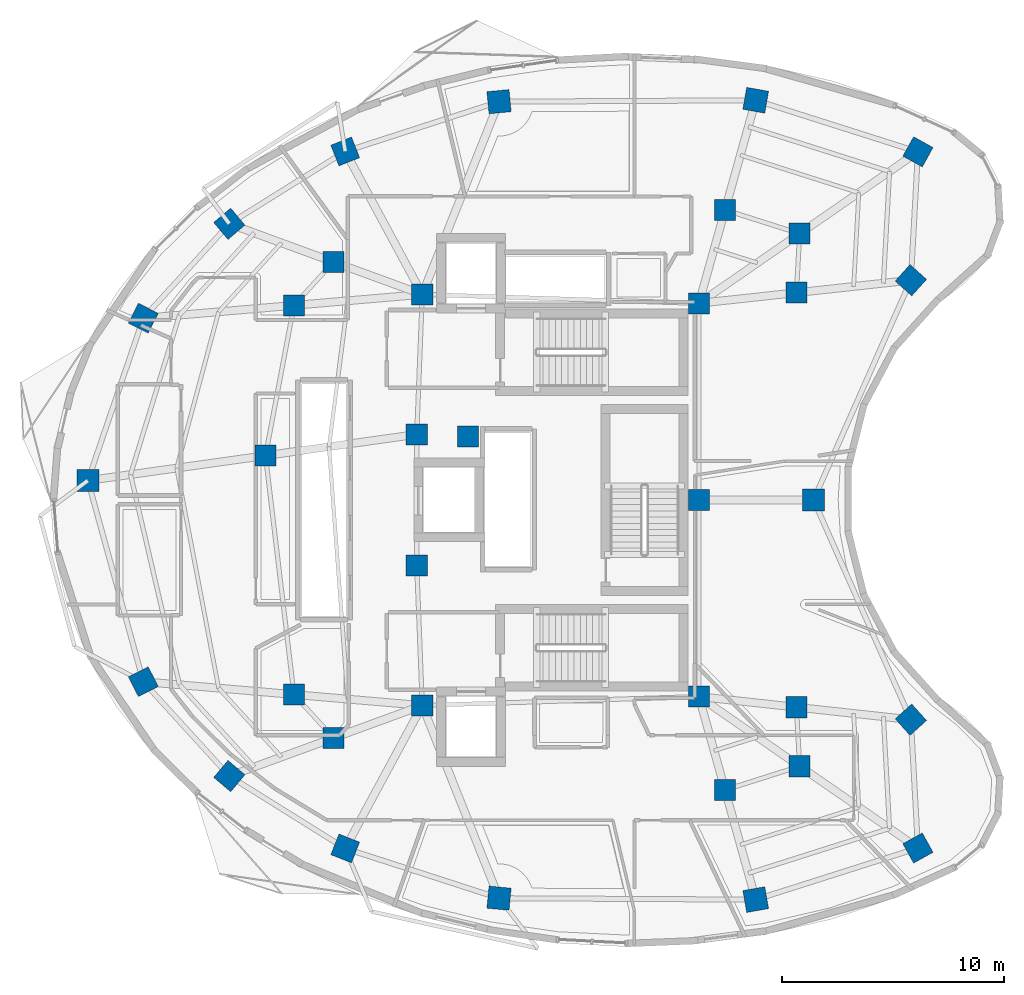
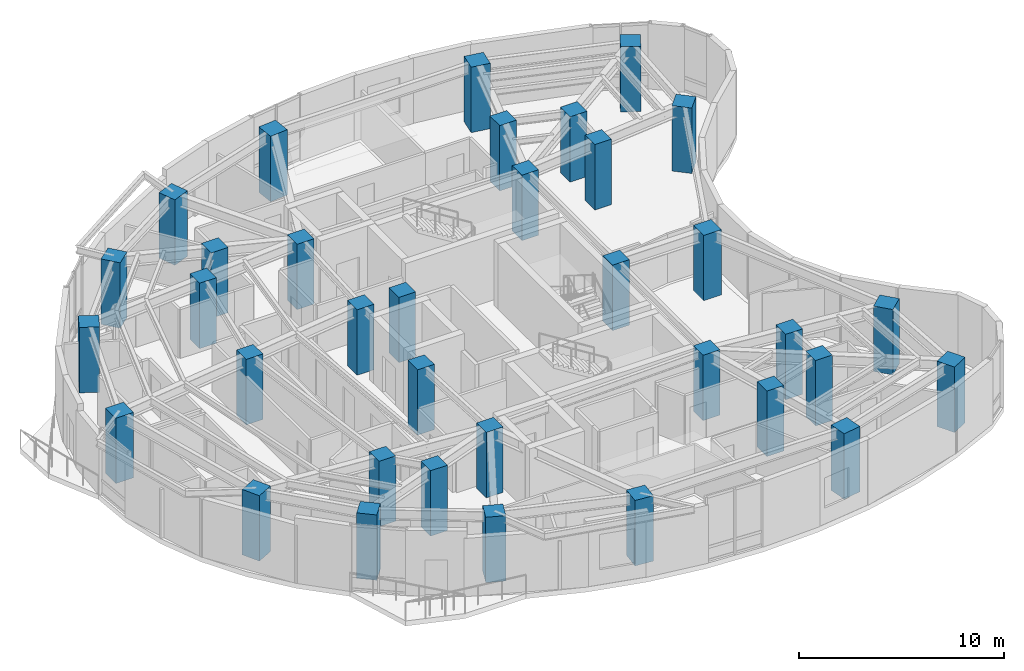
# One storey, part 1 of 13: 35 columns.
"""IFC4 building model written with IfcOpenShell, lengths in metres."""

from ifc_helpers import new_model, si_unit, direction, frame, origin, origin_2d, place, context, subcontext, project, spatial, rectangle, extrude, material, material_profile, profile_set, type_object, element, save


model = new_model("IFC4")

# Units and contexts
model_context = context("Model", 3, precision=1e-05, world=origin(), true_north=direction((0.0, 1.0)))
body_context = subcontext(model_context, "Body", "Model", "MODEL_VIEW")
ifc_project = project(units=[si_unit("LENGTHUNIT", "METRE"), si_unit("AREAUNIT", "SQUARE_METRE"), si_unit("VOLUMEUNIT", "CUBIC_METRE"), si_unit("PLANEANGLEUNIT", "RADIAN"), si_unit("MASSUNIT", "GRAM", prefix="KILO")], contexts=[model_context])

# Site, building, storey
site_placement = place(None, origin())
site = spatial("IfcSite", under=ifc_project, at=site_placement, CompositionType="ELEMENT")
building_placement = place(site_placement, origin())
building = spatial("IfcBuilding", under=site, at=building_placement, Name="Korentha Bioscience Tower", CompositionType="ELEMENT")
storey_placement = place(building_placement, frame((0.0, 0.0, 204.60009765625)))
storey = spatial("IfcBuildingStorey", under=building, at=storey_placement, Name="L47", CompositionType="ELEMENT", Elevation=204.60009765625)

# Columns
ifc_material = material(Name="Concrete C65", Category="concrete")
ifc_material_profile_1 = material_profile(ifc_material, rectangle(XDim=0.949951171875, YDim=0.949951171875, at=origin_2d()), Name="Concrete C65")
ifc_profile_set_1 = profile_set([ifc_material_profile_1], Name="Concrete C65 (COL-CP09)")
column_type_1 = type_object("IfcColumnType", Name="Core Pilaster Column RC 950x950", PredefinedType="PILASTER", material=ifc_profile_set_1)
for number, where, z_axis, x_axis, name in (
    (1, (37.550048828125, 35.85009765625, -0.00048828125), (0.0, 0.0, 1.0), (1.0, 0.0, 0.0), "L47 Core Pilaster CP-01"),
    (2, (25.10009765625, 36.25, -0.00048828125), (0.0, 0.0, 1.0), (1.0, 0.0, 0.0), "L47 Core Pilaster CP-02"),
    (3, (24.85009765625, 29.949951171875, -0.00048828125), (0.0, 0.0, 1.0), (1.0, 0.0, 0.0), "L47 Core Pilaster CP-03"),
    (4, (27.14990234375, 29.85009765625, -0.00048828125), (0.0, 0.0, 1.0), (1.0, 0.0, 0.0), "L47 Core Pilaster CP-04"),
    (5, (24.85009765625, 24.050048828125, -0.00048828125), (0.0, 0.0, 1.0), (1.0, 0.0, 0.0), "L47 Core Pilaster CP-05"),
    (6, (25.10009765625, 17.75, -0.00048828125), (0.0, 0.0, 1.0), (1.0, 0.0, 0.0), "L47 Core Pilaster CP-06"),
    (7, (37.550048828125, 18.14990234375, -0.00048828125), (0.0, 0.0, 1.0), (1.0, 0.0, 0.0), "L47 Core Pilaster CP-07"),
    (8, (37.550048828125, 27.0, -0.00048828125), (0.0, 0.0, 1.0), (1.0, 0.0, 0.0), "L47 Core Pilaster CP-08"),
):
    element("IfcColumn", number, at=place(storey_placement, frame(where, z_axis=z_axis, x_axis=x_axis)), inside=storey, type_object=column_type_1, Name=name, PredefinedType="PILASTER", context=body_context, shape_type="SweptSolid", body=[
        extrude(rectangle(XDim=0.949951171875, YDim=0.949951171875, at=origin_2d()), origin(), (0.0, 0.0, 1.0), 3.90087890625),
    ])
ifc_material_profile_2 = material_profile(ifc_material, rectangle(XDim=0.949951171875, YDim=0.949951171875, at=origin_2d()), Name="Concrete C65")
ifc_profile_set_2 = profile_set([ifc_material_profile_2], Name="Concrete C65 (COL-MR09)")
column_type_2 = type_object("IfcColumnType", Name="Mid-Ring Lab Column RC 950x950", PredefinedType="COLUMN", material=ifc_profile_set_2)
for number, where, z_axis, x_axis, name in (
    (9, (42.084228515625, 38.985595703125, -0.00048828125), (0.0, 0.0, 1.0), (1.0, 0.0, 0.0), "L47 Mid-Ring Column 01"),
    (10, (38.72607421875, 40.052978515625, -0.00048828125), (0.0, 0.0, 1.0), (1.0, 0.0, 0.0), "L47 Mid-Ring Column 02"),
    (11, (21.105224609375, 37.711669921875, -0.00048828125), (0.0, 0.0, 1.0), (1.0, 0.0, 0.0), "L47 Mid-Ring Column 05"),
    (12, (19.32470703125, 35.757568359375, -0.00048828125), (0.0, 0.0, 1.0), (1.0, 0.0, 0.0), "L47 Mid-Ring Column 06"),
    (13, (18.04296875, 28.9951171875, -0.00048828125), (0.0, 0.0, 1.0), (1.0, 0.0, 0.0), "L47 Mid-Ring Column 07"),
    (14, (19.32470703125, 18.242431640625, -0.00048828125), (0.0, 0.0, 1.0), (1.0, 0.0, 0.0), "L47 Mid-Ring Column 08"),
    (15, (21.105224609375, 16.288330078125, -0.00048828125), (0.0, 0.0, 1.0), (1.0, 0.0, 0.0), "L47 Mid-Ring Column 09"),
    (16, (38.72607421875, 13.947021484375, -0.00048828125), (0.0, 0.0, 1.0), (1.0, 0.0, 0.0), "L47 Mid-Ring Column 12"),
    (17, (42.084228515625, 15.014404296875, -0.00048828125), (0.0, 0.0, 1.0), (1.0, 0.0, 0.0), "L47 Mid-Ring Column 13"),
    (18, (41.9375, 17.672119140625, -0.00048828125), (0.0, 0.0, 1.0), (1.0, 0.0, 0.0), "L47 Mid-Ring Column 14"),
    (19, (41.9375, 36.327880859375, -0.00048828125), (0.0, 0.0, 1.0), (1.0, 0.0, 0.0), "L47 Mid-Ring Column 16"),
):
    element("IfcColumn", number, at=place(storey_placement, frame(where, z_axis=z_axis, x_axis=x_axis)), inside=storey, type_object=column_type_2, Name=name, PredefinedType="COLUMN", context=body_context, shape_type="SweptSolid", body=[
        extrude(rectangle(XDim=0.949951171875, YDim=0.949951171875, at=origin_2d()), origin(), (0.0, 0.0, 1.0), 3.90087890625),
    ])
ifc_material_profile_3 = material_profile(ifc_material, rectangle(XDim=1.0, YDim=1.0, at=origin_2d()), Name="Concrete C65")
ifc_profile_set_3 = profile_set([ifc_material_profile_3], Name="Concrete C65 (COL-P10)")
column_type_3 = type_object("IfcColumnType", Name="Perimeter Column RC 1000x1000", PredefinedType="COLUMN", material=ifc_profile_set_3)
for number, where, z_axis, x_axis, name in (
    (20, (47.406982421875, 42.666259765625, -0.00048828125), (0.0, 0.0, 1.0), (-0.874535078577, 0.484962262797, 0.0), "L47 Perimeter Column 01"),
    (21, (40.106689453125, 44.987060546875, -0.00048828125), (0.0, 0.0, 1.0), (-0.984868307662, 0.173304404339, 0.0), "L47 Perimeter Column 02"),
    (22, (28.5537109375, 44.923583984375, -0.00048828125), (0.0, 0.0, 1.0), (0.995462868748, 0.095150811579, 0.0), "L47 Perimeter Column 03"),
    (23, (21.631591796875, 42.68359375, -0.00048828125), (0.0, 0.0, 1.0), (0.930225540858, 0.366988341962, 0.0), "L47 Perimeter Column 04"),
    (24, (16.415771484375, 39.427490234375, -0.00048828125), (0.0, 0.0, 1.0), (0.764246456939, 0.644924300253, 0.0), "L47 Perimeter Column 05"),
    (25, (12.54541015625, 35.1796875, -0.00048828125), (0.0, 0.0, 1.0), (0.453057191132, 0.891481453292, 0.0), "L47 Perimeter Column 06"),
    (26, (10.05224609375, 27.874267578125, -0.00048828125), (0.0, 0.0, 1.0), (0.0, 1.0, 0.0), "L47 Perimeter Column 07"),
    (27, (12.54541015625, 18.8203125, -0.00048828125), (0.0, 0.0, 1.0), (-0.453057191132, 0.891481453292, 0.0), "L47 Perimeter Column 08"),
    (28, (16.415771484375, 14.572509765625, -0.00048828125), (0.0, 0.0, 1.0), (-0.764246456939, 0.644924300253, 0.0), "L47 Perimeter Column 09"),
    (29, (21.631591796875, 11.31640625, -0.00048828125), (0.0, 0.0, 1.0), (-0.930225540858, 0.366988341962, 0.0), "L47 Perimeter Column 10"),
    (30, (28.5537109375, 9.076416015625, -0.00048828125), (0.0, 0.0, 1.0), (-0.995462868748, 0.095150811579, 0.0), "L47 Perimeter Column 11"),
    (31, (40.106689453125, 9.012939453125, -0.00048828125), (0.0, 0.0, 1.0), (0.984868307662, 0.173304404339, 0.0), "L47 Perimeter Column 12"),
    (32, (47.406982421875, 11.333740234375, -0.00048828125), (0.0, 0.0, 1.0), (0.874535078577, 0.484962262797, 0.0), "L47 Perimeter Column 13"),
    (33, (47.088134765625, 17.11083984375, -0.00048828125), (0.0, 0.0, 1.0), (-0.669130606359, 0.743144825477, 0.0), "L47 Perimeter Column 14"),
    (34, (42.708984375, 27.0, -0.00048828125), (0.0, 0.0, 1.0), (0.0, 1.0, 0.0), "L47 Perimeter Column 15"),
    (35, (47.088134765625, 36.88916015625, -0.00048828125), (0.0, 0.0, 1.0), (0.669130606359, 0.743144825477, 0.0), "L47 Perimeter Column 16"),
):
    element("IfcColumn", number, at=place(storey_placement, frame(where, z_axis=z_axis, x_axis=x_axis)), inside=storey, type_object=column_type_3, Name=name, PredefinedType="COLUMN", context=body_context, shape_type="SweptSolid", body=[
        extrude(rectangle(XDim=1.0, YDim=1.0, at=origin_2d()), origin(), (0.0, 0.0, 1.0), 3.90087890625),
    ])

save(model, "model.ifc")
